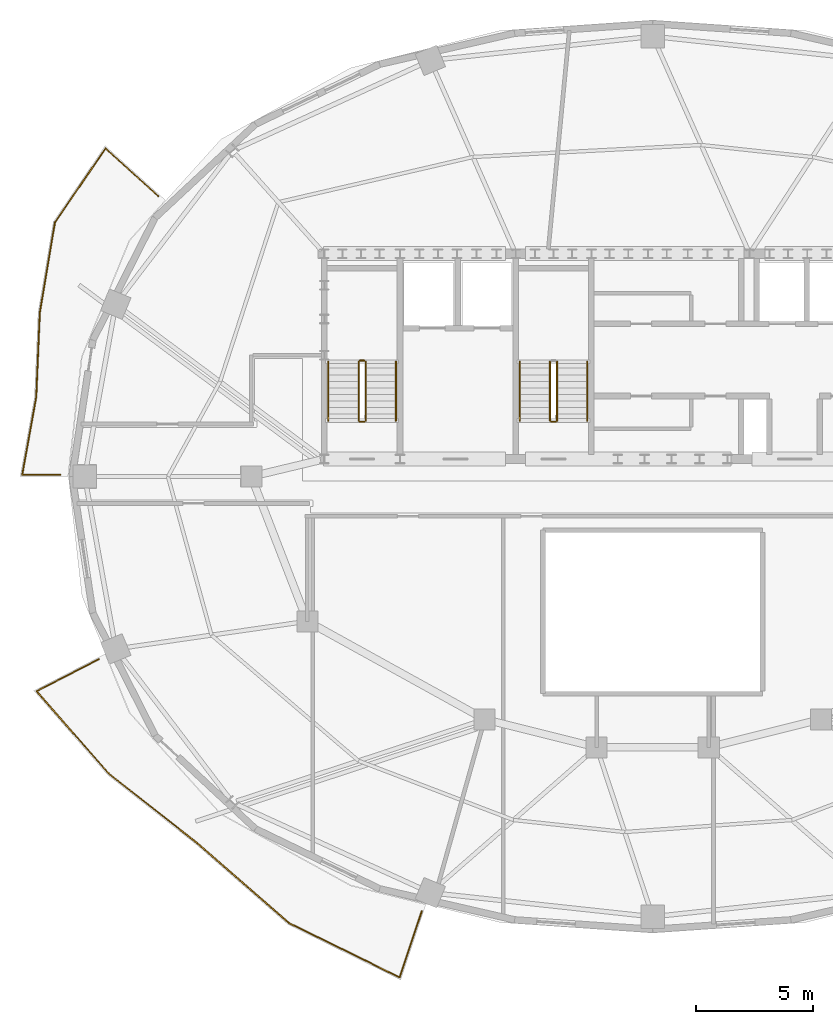
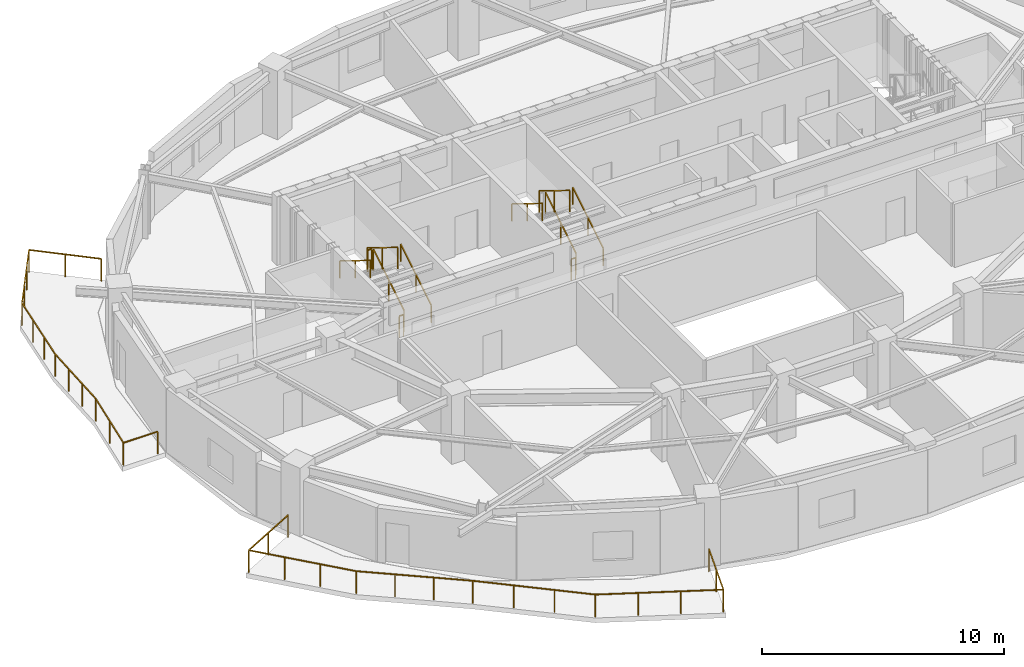
# One storey, part 7 of 10: 13 railings.
"""IFC4 building model written with IfcOpenShell, lengths in metres."""

from ifc_helpers import new_model, si_unit, direction, frame, origin, origin_2d, place, context, subcontext, project, spatial, rectangle, extrude, material, type_object, element, save


model = new_model("IFC4")

# Units and contexts
model_context = context("Model", 3, precision=1e-05, world=origin(), true_north=direction((0.0, 1.0)))
body_context = subcontext(model_context, "Body", "Model", "MODEL_VIEW")
ifc_project = project(units=[si_unit("LENGTHUNIT", "METRE"), si_unit("AREAUNIT", "SQUARE_METRE"), si_unit("VOLUMEUNIT", "CUBIC_METRE"), si_unit("PLANEANGLEUNIT", "RADIAN"), si_unit("MASSUNIT", "GRAM", prefix="KILO")], contexts=[model_context])

# Site, building, storey
site_placement = place(None, origin())
site = spatial("IfcSite", under=ifc_project, at=site_placement, CompositionType="ELEMENT")
building_placement = place(site_placement, origin())
building = spatial("IfcBuilding", under=site, at=building_placement, Name="Haldorwick Loom Tower", CompositionType="ELEMENT")
storey_placement = place(building_placement, frame((0.0, 0.0, 266.10009765625)))
storey = spatial("IfcBuildingStorey", under=building, at=storey_placement, Name="L72", CompositionType="ELEMENT", Elevation=266.10009765625)

# Railings
ifc_material_1 = material(Name="Galvanized Steel CSA G40.21 350W", Category="steel")
railing_type_1 = type_object("IfcRailingType", Name="ARC-RLG-BAL115", PredefinedType="BALUSTRADE", material=ifc_material_1)
railing_1_placement = place(storey_placement, frame((26.09912109375, 7.369140625, 0.0)))
element("IfcRailing", 1, at=railing_1_placement, inside=storey, type_object=railing_type_1, Name="L72 Outdoor Terrace Guardrail SLB-L72-BAL_SW-1", PredefinedType="BALUSTRADE", context=body_context, shape_type="SweptSolid", body=[
    extrude(rectangle(XDim=0.048095703125, YDim=0.048095703125, at=origin_2d()), frame((0.0, 0.0, 1.1259765625), z_axis=(-0.316571845047, -0.948568535702, 0.0), x_axis=(0.948568535702, -0.316571845047, 0.0)), (0.0, 0.0, 1.0), 2.97998046875),
    extrude(rectangle(XDim=0.048095703125, YDim=0.048095703125, at=origin_2d()), frame((-0.943359375, -2.82666015625, 1.1259765625), z_axis=(-0.897365820066, 0.441287417652, 0.0), x_axis=(-0.441287417652, -0.897365820066, 0.0)), (0.0, 0.0, 1.0), 5.29833984375),
    extrude(rectangle(XDim=0.048095703125, YDim=0.048095703125, at=origin_2d()), frame((-5.697998046875, -0.488525390625, 1.1259765625), z_axis=(-0.753589494312, 0.657345323299, 0.0), x_axis=(-0.657345323299, -0.753589494312, 0.0)), (0.0, 0.0, 1.0), 5.162109375),
    extrude(rectangle(XDim=0.048095703125, YDim=0.048095703125, at=origin_2d()), frame((-9.588134765625, 2.90478515625, 1.1259765625), z_axis=(-0.763386285369, 0.645942241466, 0.0), x_axis=(-0.645942241466, -0.763386285369, 0.0)), (0.0, 0.0, 1.0), 0.004150390625),
    extrude(rectangle(XDim=0.048095703125, YDim=0.048095703125, at=origin_2d()), frame((-9.59130859375, 2.907470703125, 1.1259765625), z_axis=(-0.786142130795, 0.618045750887, 0.0), x_axis=(-0.618045750887, -0.786142130795, 0.0)), (0.0, 0.0, 1.0), 4.856689453125),
    extrude(rectangle(XDim=0.048095703125, YDim=0.048095703125, at=origin_2d()), frame((-13.409423828125, 5.9091796875, 1.1259765625), z_axis=(-0.658947524651, 0.75218891228, 0.0), x_axis=(-0.75218891228, -0.658947524651, 0.0)), (0.0, 0.0, 1.0), 4.681640625),
    extrude(rectangle(XDim=0.048095703125, YDim=0.048095703125, at=origin_2d()), frame((-16.494384765625, 9.4306640625, 1.1259765625), z_axis=(0.888528692081, 0.458821058093, 0.0), x_axis=(-0.458821058093, 0.888528692081, 0.0)), (0.0, 0.0, 1.0), 3.002197265625),
    extrude(rectangle(XDim=0.0419921875, YDim=0.0419921875, at=origin_2d()), origin(), (0.0, 0.0, 1.0), 1.101806640625),
    extrude(rectangle(XDim=0.0419921875, YDim=0.0419921875, at=origin_2d()), frame((-0.4716796875, -1.413330078125, 0.0)), (0.0, 0.0, 1.0), 1.101806640625),
    extrude(rectangle(XDim=0.0419921875, YDim=0.0419921875, at=origin_2d()), frame((-0.943359375, -2.82666015625, 0.0)), (0.0, 0.0, 1.0), 1.101806640625),
    extrude(rectangle(XDim=0.0419921875, YDim=0.0419921875, at=origin_2d()), frame((-2.5283203125, -2.04736328125, 0.0)), (0.0, 0.0, 1.0), 1.101806640625),
    extrude(rectangle(XDim=0.0419921875, YDim=0.0419921875, at=origin_2d()), frame((-4.113037109375, -1.267822265625, 0.0)), (0.0, 0.0, 1.0), 1.101806640625),
    extrude(rectangle(XDim=0.0419921875, YDim=0.0419921875, at=origin_2d()), frame((-5.697998046875, -0.488525390625, 0.0)), (0.0, 0.0, 1.0), 1.101806640625),
    extrude(rectangle(XDim=0.0419921875, YDim=0.0419921875, at=origin_2d()), frame((-6.99462890625, 0.642578125, 0.0)), (0.0, 0.0, 1.0), 1.101806640625),
    extrude(rectangle(XDim=0.0419921875, YDim=0.0419921875, at=origin_2d()), frame((-8.29150390625, 1.773681640625, 0.0)), (0.0, 0.0, 1.0), 1.101806640625),
    extrude(rectangle(XDim=0.0419921875, YDim=0.0419921875, at=origin_2d()), frame((-9.588134765625, 2.90478515625, 0.0)), (0.0, 0.0, 1.0), 1.101806640625),
    extrude(rectangle(XDim=0.0419921875, YDim=0.0419921875, at=origin_2d()), frame((-10.864013671875, 3.907958984375, 0.0)), (0.0, 0.0, 1.0), 1.101806640625),
    extrude(rectangle(XDim=0.0419921875, YDim=0.0419921875, at=origin_2d()), frame((-12.13671875, 4.90869140625, 0.0)), (0.0, 0.0, 1.0), 1.101806640625),
    extrude(rectangle(XDim=0.0419921875, YDim=0.0419921875, at=origin_2d()), frame((-13.409423828125, 5.9091796875, 0.0)), (0.0, 0.0, 1.0), 1.101806640625),
    extrude(rectangle(XDim=0.0419921875, YDim=0.0419921875, at=origin_2d()), frame((-14.437744140625, 7.0830078125, 0.0)), (0.0, 0.0, 1.0), 1.101806640625),
    extrude(rectangle(XDim=0.0419921875, YDim=0.0419921875, at=origin_2d()), frame((-15.466064453125, 8.2568359375, 0.0)), (0.0, 0.0, 1.0), 1.101806640625),
    extrude(rectangle(XDim=0.0419921875, YDim=0.0419921875, at=origin_2d()), frame((-16.494384765625, 9.4306640625, 0.0)), (0.0, 0.0, 1.0), 1.101806640625),
    extrude(rectangle(XDim=0.0419921875, YDim=0.0419921875, at=origin_2d()), frame((-15.16064453125, 10.119384765625, 0.0)), (0.0, 0.0, 1.0), 1.101806640625),
    extrude(rectangle(XDim=0.0419921875, YDim=0.0419921875, at=origin_2d()), frame((-13.826904296875, 10.80810546875, 0.0)), (0.0, 0.0, 1.0), 1.101806640625),
])
railing_2_placement = place(storey_placement, frame((10.6201171875, 26.080078125, 0.0)))
element("IfcRailing", 2, at=railing_2_placement, inside=storey, type_object=railing_type_1, Name="L72 Outdoor Terrace Guardrail SLB-L72-BAL_WNW-1", PredefinedType="BALUSTRADE", context=body_context, shape_type="SweptSolid", body=[
    extrude(rectangle(XDim=0.048095703125, YDim=0.048095703125, at=origin_2d()), frame((0.0, 0.0, 1.1259765625), z_axis=(-1.0, 0.0, 0.0), x_axis=(0.0, -1.0, 0.0)), (0.0, 0.0, 1.0), 1.6328125),
    extrude(rectangle(XDim=0.048095703125, YDim=0.048095703125, at=origin_2d()), frame((-1.6328125, 0.0, 1.1259765625), z_axis=(0.17771177544, 0.98408258031, 0.0), x_axis=(-0.98408258031, 0.17771177544, 0.0)), (0.0, 0.0, 1.0), 3.36865234375),
    extrude(rectangle(XDim=0.048095703125, YDim=0.048095703125, at=origin_2d()), frame((-1.0341796875, 3.31494140625, 1.1259765625), z_axis=(0.112909688044, 0.99360525479, 0.0), x_axis=(-0.99360525479, 0.112909688044, 0.0)), (0.0, 0.0, 1.0), 0.0107421875),
    extrude(rectangle(XDim=0.048095703125, YDim=0.048095703125, at=origin_2d()), frame((-1.032958984375, 3.32568359375, 1.1259765625), z_axis=(0.042434606973, 0.999099246387, 0.0), x_axis=(-0.999099246387, 0.042434606973, 0.0)), (0.0, 0.0, 1.0), 3.62451171875),
    extrude(rectangle(XDim=0.048095703125, YDim=0.048095703125, at=origin_2d()), frame((-0.879150390625, 6.947021484375, 1.1259765625), z_axis=(0.165582589348, 0.986195926834, 0.0), x_axis=(-0.986195926834, 0.165582589348, 0.0)), (0.0, 0.0, 1.0), 3.9130859375),
    extrude(rectangle(XDim=0.048095703125, YDim=0.048095703125, at=origin_2d()), frame((-0.231201171875, 10.80615234375, 1.1259765625), z_axis=(0.564025089153, 0.825757651376, 0.0), x_axis=(-0.825757651376, 0.564025089153, 0.0)), (0.0, 0.0, 1.0), 3.84033203125),
    extrude(rectangle(XDim=0.048095703125, YDim=0.048095703125, at=origin_2d()), frame((1.934814453125, 13.977294921875, 1.1259765625), z_axis=(0.741584946857, -0.670858976683, 0.0), x_axis=(0.670858976683, 0.741584946857, 0.0)), (0.0, 0.0, 1.0), 3.058349609375),
    extrude(rectangle(XDim=0.0419921875, YDim=0.0419921875, at=origin_2d()), origin(), (0.0, 0.0, 1.0), 1.101806640625),
    extrude(rectangle(XDim=0.0419921875, YDim=0.0419921875, at=origin_2d()), frame((-1.6328125, 0.0, 0.0)), (0.0, 0.0, 1.0), 1.101806640625),
    extrude(rectangle(XDim=0.0419921875, YDim=0.0419921875, at=origin_2d()), frame((-1.33349609375, 1.657470703125, 0.0)), (0.0, 0.0, 1.0), 1.101806640625),
    extrude(rectangle(XDim=0.0419921875, YDim=0.0419921875, at=origin_2d()), frame((-1.0341796875, 3.31494140625, 0.0)), (0.0, 0.0, 1.0), 1.101806640625),
    extrude(rectangle(XDim=0.0419921875, YDim=0.0419921875, at=origin_2d()), frame((-0.981689453125, 4.53271484375, 0.0)), (0.0, 0.0, 1.0), 1.101806640625),
    extrude(rectangle(XDim=0.0419921875, YDim=0.0419921875, at=origin_2d()), frame((-0.930419921875, 5.739990234375, 0.0)), (0.0, 0.0, 1.0), 1.101806640625),
    extrude(rectangle(XDim=0.0419921875, YDim=0.0419921875, at=origin_2d()), frame((-0.879150390625, 6.947021484375, 0.0)), (0.0, 0.0, 1.0), 1.101806640625),
    extrude(rectangle(XDim=0.0419921875, YDim=0.0419921875, at=origin_2d()), frame((-0.6630859375, 8.2333984375, 0.0)), (0.0, 0.0, 1.0), 1.101806640625),
    extrude(rectangle(XDim=0.0419921875, YDim=0.0419921875, at=origin_2d()), frame((-0.447265625, 9.519775390625, 0.0)), (0.0, 0.0, 1.0), 1.101806640625),
    extrude(rectangle(XDim=0.0419921875, YDim=0.0419921875, at=origin_2d()), frame((-0.231201171875, 10.80615234375, 0.0)), (0.0, 0.0, 1.0), 1.101806640625),
    extrude(rectangle(XDim=0.0419921875, YDim=0.0419921875, at=origin_2d()), frame((0.49072265625, 11.86328125, 0.0)), (0.0, 0.0, 1.0), 1.101806640625),
    extrude(rectangle(XDim=0.0419921875, YDim=0.0419921875, at=origin_2d()), frame((1.212890625, 12.920166015625, 0.0)), (0.0, 0.0, 1.0), 1.101806640625),
    extrude(rectangle(XDim=0.0419921875, YDim=0.0419921875, at=origin_2d()), frame((1.934814453125, 13.977294921875, 0.0)), (0.0, 0.0, 1.0), 1.101806640625),
    extrude(rectangle(XDim=0.0419921875, YDim=0.0419921875, at=origin_2d()), frame((3.06884765625, 12.951416015625, 0.0)), (0.0, 0.0, 1.0), 1.101806640625),
    extrude(rectangle(XDim=0.0419921875, YDim=0.0419921875, at=origin_2d()), frame((4.202880859375, 11.925537109375, 0.0)), (0.0, 0.0, 1.0), 1.101806640625),
])
ifc_material_2 = material(Name="Steel CSA G40.21 350W", Category="steel")
railing_type_2 = type_object("IfcRailingType", Name="ARC-RLG-GUARD112", PredefinedType="GUARDRAIL", material=ifc_material_2)
railing_3_placement = place(storey_placement, frame((23.699951171875, 28.39990234375, 0.17236328125)))
element("IfcRailing", 3, at=railing_3_placement, inside=storey, type_object=railing_type_2, Name="L72 ST-01 stair guard 1", PredefinedType="GUARDRAIL", context=body_context, shape_type="SweptSolid", body=[
    extrude(rectangle(XDim=0.048095703125, YDim=0.048095703125, at=origin_2d()), frame((0.0, 0.0, 1.076171875), z_axis=(0.0, 0.851400495292, 0.524516154772), x_axis=(-1.0, 0.0, 0.0)), (0.0, 0.0, 1.0), 2.9599609375),
    extrude(rectangle(XDim=0.0419921875, YDim=0.0419921875, at=origin_2d()), origin(), (0.0, 0.0, 1.0), 1.052001953125),
    extrude(rectangle(XDim=0.0419921875, YDim=0.0419921875, at=origin_2d()), frame((0.0, 1.260009765625, 0.7763671875)), (0.0, 0.0, 1.0), 1.052001953125),
    extrude(rectangle(XDim=0.0419921875, YDim=0.0419921875, at=origin_2d()), frame((0.0, 2.52001953125, 1.552490234375)), (0.0, 0.0, 1.0), 1.052001953125),
])
railing_4_placement = place(storey_placement, frame((23.64990234375, 30.969970703125, 1.724853515625)))
element("IfcRailing", 4, at=railing_4_placement, inside=storey, type_object=railing_type_2, Name="L72 ST-01 stair guard 2", PredefinedType="GUARDRAIL", context=body_context, shape_type="SweptSolid", body=[
    extrude(rectangle(XDim=0.048095703125, YDim=0.048095703125, at=origin_2d()), frame((0.0, 0.0, 1.076171875), z_axis=(-1.0, 0.0, 0.0), x_axis=(0.0, -1.0, 0.0)), (0.0, 0.0, 1.0), 0.199951171875),
    extrude(rectangle(XDim=0.0419921875, YDim=0.0419921875, at=origin_2d()), origin(), (0.0, 0.0, 1.0), 1.052001953125),
    extrude(rectangle(XDim=0.0419921875, YDim=0.0419921875, at=origin_2d()), frame((-0.199951171875, 0.0, 0.0)), (0.0, 0.0, 1.0), 1.052001953125),
])
railing_5_placement = place(storey_placement, frame((23.39990234375, 30.919921875, 1.8974609375)))
element("IfcRailing", 5, at=railing_5_placement, inside=storey, type_object=railing_type_2, Name="L72 ST-01 stair guard 3", PredefinedType="GUARDRAIL", context=body_context, shape_type="SweptSolid", body=[
    extrude(rectangle(XDim=0.048095703125, YDim=0.048095703125, at=origin_2d()), frame((0.0, 0.0, 1.076171875), z_axis=(0.0, -0.851400495292, 0.524516154772), x_axis=(1.0, 0.0, 0.0)), (0.0, 0.0, 1.0), 2.9599609375),
    extrude(rectangle(XDim=0.0419921875, YDim=0.0419921875, at=origin_2d()), origin(), (0.0, 0.0, 1.0), 1.052001953125),
    extrude(rectangle(XDim=0.0419921875, YDim=0.0419921875, at=origin_2d()), frame((0.0, -1.260009765625, 0.7763671875)), (0.0, 0.0, 1.0), 1.052001953125),
    extrude(rectangle(XDim=0.0419921875, YDim=0.0419921875, at=origin_2d()), frame((0.0, -2.52001953125, 1.552490234375)), (0.0, 0.0, 1.0), 1.052001953125),
])
railing_6_placement = place(storey_placement, frame((23.64990234375, 28.35009765625, 0.0)))
element("IfcRailing", 6, at=railing_6_placement, inside=storey, type_object=railing_type_2, Name="L72 ST-01 stair guard 4", PredefinedType="GUARDRAIL", context=body_context, shape_type="SweptSolid", body=[
    extrude(rectangle(XDim=0.048095703125, YDim=0.048095703125, at=origin_2d()), frame((0.0, 0.0, 1.076171875), z_axis=(-1.0, 0.0, 0.0), x_axis=(0.0, -1.0, 0.0)), (0.0, 0.0, 1.0), 0.199951171875),
    extrude(rectangle(XDim=0.0419921875, YDim=0.0419921875, at=origin_2d()), origin(), (0.0, 0.0, 1.0), 1.052001953125),
    extrude(rectangle(XDim=0.0419921875, YDim=0.0419921875, at=origin_2d()), frame((-0.199951171875, 0.0, 0.0)), (0.0, 0.0, 1.0), 1.052001953125),
])
railing_7_placement = place(storey_placement, frame((31.89990234375, 28.39990234375, 0.17236328125)))
element("IfcRailing", 7, at=railing_7_placement, inside=storey, type_object=railing_type_2, Name="L72 ST-03 stair guard 1", PredefinedType="GUARDRAIL", context=body_context, shape_type="SweptSolid", body=[
    extrude(rectangle(XDim=0.048095703125, YDim=0.048095703125, at=origin_2d()), frame((0.0, 0.0, 1.076171875), z_axis=(0.0, 0.851400495292, 0.524516154772), x_axis=(-1.0, 0.0, 0.0)), (0.0, 0.0, 1.0), 2.9599609375),
    extrude(rectangle(XDim=0.0419921875, YDim=0.0419921875, at=origin_2d()), origin(), (0.0, 0.0, 1.0), 1.052001953125),
    extrude(rectangle(XDim=0.0419921875, YDim=0.0419921875, at=origin_2d()), frame((0.0, 1.260009765625, 0.7763671875)), (0.0, 0.0, 1.0), 1.052001953125),
    extrude(rectangle(XDim=0.0419921875, YDim=0.0419921875, at=origin_2d()), frame((0.0, 2.52001953125, 1.552490234375)), (0.0, 0.0, 1.0), 1.052001953125),
])
railing_8_placement = place(storey_placement, frame((31.60009765625, 30.919921875, 1.8974609375)))
element("IfcRailing", 8, at=railing_8_placement, inside=storey, type_object=railing_type_2, Name="L72 ST-03 stair guard 3", PredefinedType="GUARDRAIL", context=body_context, shape_type="SweptSolid", body=[
    extrude(rectangle(XDim=0.048095703125, YDim=0.048095703125, at=origin_2d()), frame((0.0, 0.0, 1.076171875), z_axis=(0.0, -0.851400495292, 0.524516154772), x_axis=(1.0, 0.0, 0.0)), (0.0, 0.0, 1.0), 2.9599609375),
    extrude(rectangle(XDim=0.0419921875, YDim=0.0419921875, at=origin_2d()), origin(), (0.0, 0.0, 1.0), 1.052001953125),
    extrude(rectangle(XDim=0.0419921875, YDim=0.0419921875, at=origin_2d()), frame((0.0, -1.260009765625, 0.7763671875)), (0.0, 0.0, 1.0), 1.052001953125),
    extrude(rectangle(XDim=0.0419921875, YDim=0.0419921875, at=origin_2d()), frame((0.0, -2.52001953125, 1.552490234375)), (0.0, 0.0, 1.0), 1.052001953125),
])
railing_9_placement = place(storey_placement, frame((31.85009765625, 28.35009765625, 0.0)))
element("IfcRailing", 9, at=railing_9_placement, inside=storey, type_object=railing_type_2, Name="L72 ST-03 stair guard 4", PredefinedType="GUARDRAIL", context=body_context, shape_type="SweptSolid", body=[
    extrude(rectangle(XDim=0.048095703125, YDim=0.048095703125, at=origin_2d()), frame((0.0, 0.0, 1.076171875), z_axis=(-1.0, 0.0, 0.0), x_axis=(0.0, -1.0, 0.0)), (0.0, 0.0, 1.0), 0.2001953125),
    extrude(rectangle(XDim=0.0419921875, YDim=0.0419921875, at=origin_2d()), origin(), (0.0, 0.0, 1.0), 1.052001953125),
    extrude(rectangle(XDim=0.0419921875, YDim=0.0419921875, at=origin_2d()), frame((-0.2001953125, 0.0, 0.0)), (0.0, 0.0, 1.0), 1.052001953125),
])
railing_type_3 = type_object("IfcRailingType", Name="ARC-RLG-HAND092", PredefinedType="HANDRAIL", material=ifc_material_2)
railing_10_placement = place(storey_placement, frame((25.0, 28.39990234375, 0.17236328125)))
element("IfcRailing", 10, at=railing_10_placement, inside=storey, type_object=railing_type_3, Name="L72 ST-01 stair handrail 1", PredefinedType="HANDRAIL", context=body_context, shape_type="SweptSolid", body=[
    extrude(rectangle(XDim=0.048095703125, YDim=0.048095703125, at=origin_2d()), frame((0.0, 0.0, 0.8759765625), z_axis=(0.0, 0.851400495292, 0.524516154772), x_axis=(-1.0, 0.0, 0.0)), (0.0, 0.0, 1.0), 2.9599609375),
    extrude(rectangle(XDim=0.0419921875, YDim=0.0419921875, at=origin_2d()), origin(), (0.0, 0.0, 1.0), 0.851806640625),
    extrude(rectangle(XDim=0.0419921875, YDim=0.0419921875, at=origin_2d()), frame((0.0, 1.260009765625, 0.7763671875)), (0.0, 0.0, 1.0), 0.851806640625),
    extrude(rectangle(XDim=0.0419921875, YDim=0.0419921875, at=origin_2d()), frame((0.0, 2.52001953125, 1.552490234375)), (0.0, 0.0, 1.0), 0.851806640625),
])
railing_11_placement = place(storey_placement, frame((22.10009765625, 30.919921875, 1.8974609375)))
element("IfcRailing", 11, at=railing_11_placement, inside=storey, type_object=railing_type_3, Name="L72 ST-01 stair handrail 2", PredefinedType="HANDRAIL", context=body_context, shape_type="SweptSolid", body=[
    extrude(rectangle(XDim=0.048095703125, YDim=0.048095703125, at=origin_2d()), frame((0.0, 0.0, 0.8759765625), z_axis=(0.0, -0.851400495292, 0.524516154772), x_axis=(1.0, 0.0, 0.0)), (0.0, 0.0, 1.0), 2.9599609375),
    extrude(rectangle(XDim=0.0419921875, YDim=0.0419921875, at=origin_2d()), origin(), (0.0, 0.0, 1.0), 0.851806640625),
    extrude(rectangle(XDim=0.0419921875, YDim=0.0419921875, at=origin_2d()), frame((0.0, -1.260009765625, 0.7763671875)), (0.0, 0.0, 1.0), 0.851806640625),
    extrude(rectangle(XDim=0.0419921875, YDim=0.0419921875, at=origin_2d()), frame((0.0, -2.52001953125, 1.552490234375)), (0.0, 0.0, 1.0), 0.851806640625),
])
railing_12_placement = place(storey_placement, frame((33.199951171875, 28.39990234375, 0.17236328125)))
element("IfcRailing", 12, at=railing_12_placement, inside=storey, type_object=railing_type_3, Name="L72 ST-03 stair handrail 1", PredefinedType="HANDRAIL", context=body_context, shape_type="SweptSolid", body=[
    extrude(rectangle(XDim=0.048095703125, YDim=0.048095703125, at=origin_2d()), frame((0.0, 0.0, 0.8759765625), z_axis=(0.0, 0.851400495292, 0.524516154772), x_axis=(-1.0, 0.0, 0.0)), (0.0, 0.0, 1.0), 2.9599609375),
    extrude(rectangle(XDim=0.0419921875, YDim=0.0419921875, at=origin_2d()), origin(), (0.0, 0.0, 1.0), 0.851806640625),
    extrude(rectangle(XDim=0.0419921875, YDim=0.0419921875, at=origin_2d()), frame((0.0, 1.260009765625, 0.7763671875)), (0.0, 0.0, 1.0), 0.851806640625),
    extrude(rectangle(XDim=0.0419921875, YDim=0.0419921875, at=origin_2d()), frame((0.0, 2.52001953125, 1.552490234375)), (0.0, 0.0, 1.0), 0.851806640625),
])
railing_13_placement = place(storey_placement, frame((30.300048828125, 30.919921875, 1.8974609375)))
element("IfcRailing", 13, at=railing_13_placement, inside=storey, type_object=railing_type_3, Name="L72 ST-03 stair handrail 2", PredefinedType="HANDRAIL", context=body_context, shape_type="SweptSolid", body=[
    extrude(rectangle(XDim=0.048095703125, YDim=0.048095703125, at=origin_2d()), frame((0.0, 0.0, 0.8759765625), z_axis=(0.0, -0.851400495292, 0.524516154772), x_axis=(1.0, 0.0, 0.0)), (0.0, 0.0, 1.0), 2.9599609375),
    extrude(rectangle(XDim=0.0419921875, YDim=0.0419921875, at=origin_2d()), origin(), (0.0, 0.0, 1.0), 0.851806640625),
    extrude(rectangle(XDim=0.0419921875, YDim=0.0419921875, at=origin_2d()), frame((0.0, -1.260009765625, 0.7763671875)), (0.0, 0.0, 1.0), 0.851806640625),
    extrude(rectangle(XDim=0.0419921875, YDim=0.0419921875, at=origin_2d()), frame((0.0, -2.52001953125, 1.552490234375)), (0.0, 0.0, 1.0), 0.851806640625),
])

save(model, "model.ifc")
